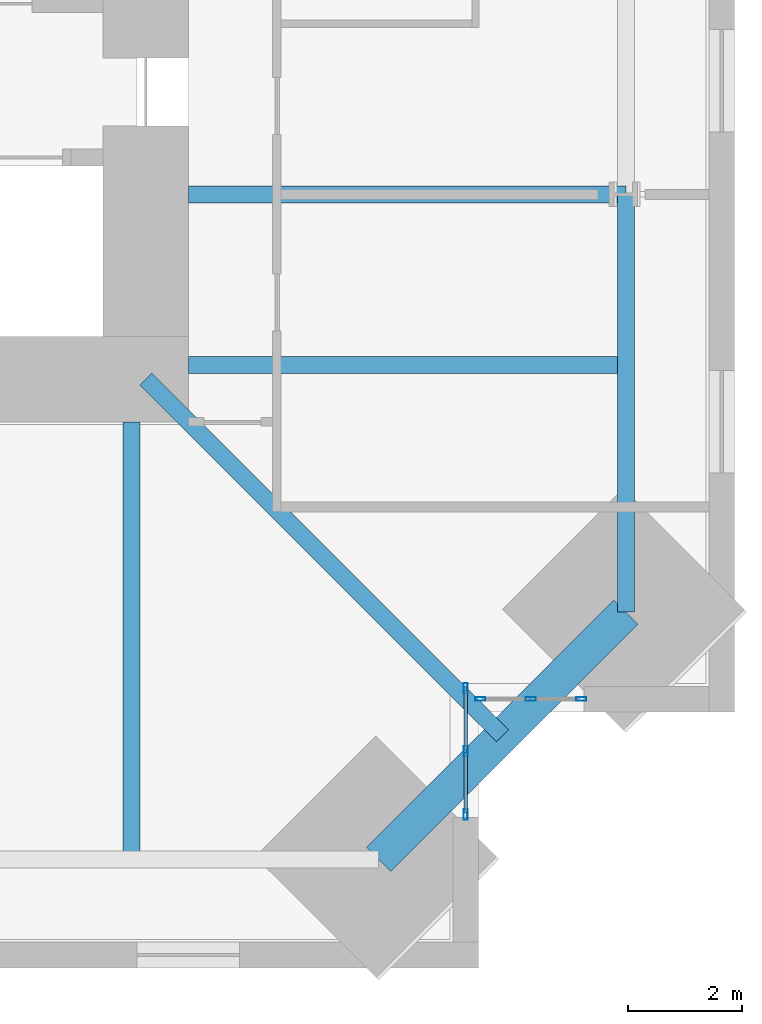
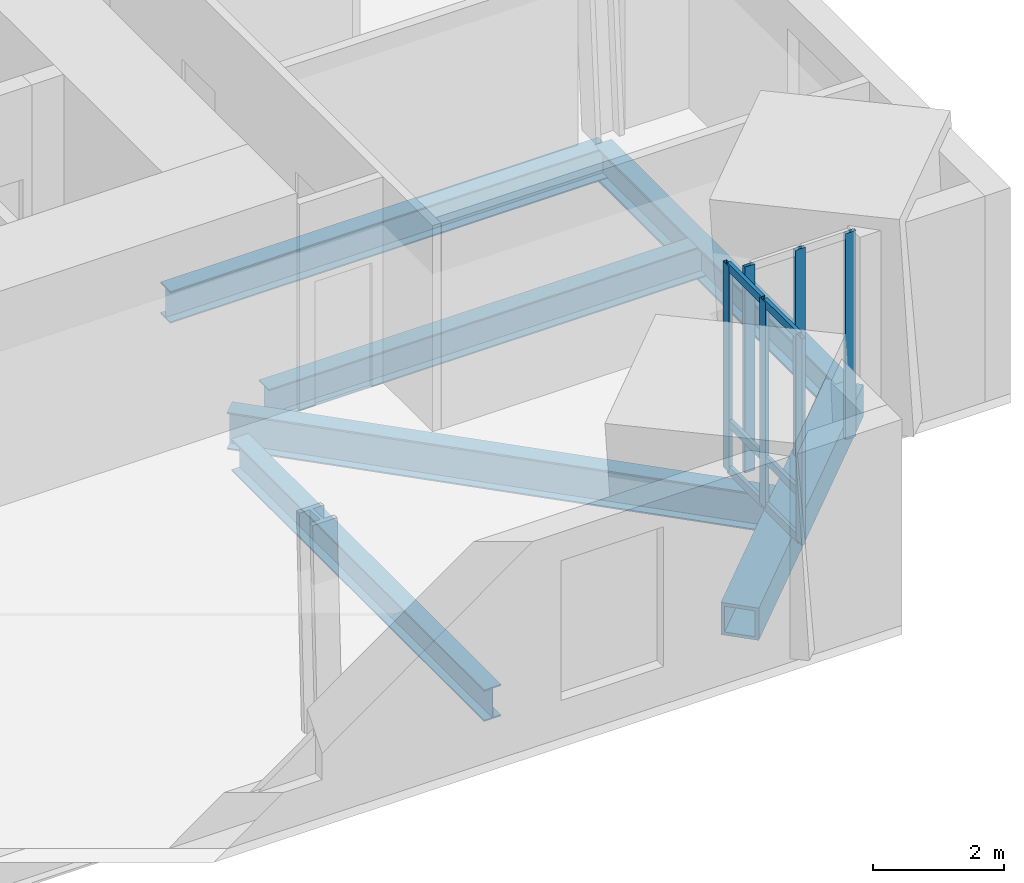
# One storey, part 4 of 16: 12 members, 6 beams, 2 elements without a shape of their own.
"""IFC4 building model written with IfcOpenShell, lengths in metres."""

from ifc_helpers import new_model, si_unit, direction, frame, origin, origin_2d, place, context, subcontext, project, spatial, hollow_rectangle, i_section, extrude, material, material_profile, profile_set, type_object, element, aggregate, save


model = new_model("IFC4")

# Units and contexts
model_context = context("Model", 3, precision=1e-05, world=origin(), true_north=direction((0.0, 1.0)))
body_context = subcontext(model_context, "Body", "Model", "MODEL_VIEW")
ifc_project = project(units=[si_unit("LENGTHUNIT", "METRE"), si_unit("AREAUNIT", "SQUARE_METRE"), si_unit("VOLUMEUNIT", "CUBIC_METRE"), si_unit("PLANEANGLEUNIT", "RADIAN"), si_unit("MASSUNIT", "GRAM", prefix="KILO")], contexts=[model_context])

# Site, building, storey
site_placement = place(None, origin())
site = spatial("IfcSite", under=ifc_project, at=site_placement, CompositionType="ELEMENT")
building_placement = place(site_placement, origin())
building = spatial("IfcBuilding", under=site, at=building_placement, Name="Peilmerk Tower", CompositionType="ELEMENT")
storey_placement = place(building_placement, frame((0.0, 0.0, 277.800048828125)))
storey = spatial("IfcBuildingStorey", under=building, at=storey_placement, Name="L62", CompositionType="ELEMENT", Elevation=277.800048828125)

# Beams
ifc_material_1 = material(Name="Steel S355", Category="steel")
ifc_material_profile_1 = material_profile(ifc_material_1, i_section(OverallWidth=0.300048828125, OverallDepth=0.68994140625, WebThickness=0.014404296875, FlangeThickness=0.027099609375, at=origin_2d()), Name="HEA 700")
ifc_profile_set_1 = profile_set([ifc_material_profile_1], Name="Steel S355")
beam_type_1 = type_object("IfcBeamType", Name="B16 HEA 700 floor beam", PredefinedType="BEAM", material=ifc_profile_set_1)
beam_1_placement = place(storey_placement, frame((11.25, -11.25, -0.51513671875), z_axis=(0.707106781187, -0.707106781187, 0.0), x_axis=(0.707106781187, 0.707106781187, 0.0)))
element("IfcBeam", 1, at=beam_1_placement, inside=storey, type_object=beam_type_1, Name="Corner girder L62", PredefinedType="BEAM", context=body_context, shape_type="SweptSolid", body=[
    extrude(i_section(OverallWidth=0.300048828125, OverallDepth=0.68994140625, WebThickness=0.014404296875, FlangeThickness=0.027099609375, at=origin_2d()), origin(), (0.0, 0.0, 1.0), 8.867431640625),
])
ifc_material_2 = material(Name="Steel S460", Category="steel")
ifc_material_profile_2 = material_profile(ifc_material_2, hollow_rectangle(XDim=0.60009765625, YDim=0.60009765625, WallThickness=0.06005859375, at=origin_2d()), Name="BOX 600x600x60")
ifc_profile_set_2 = profile_set([ifc_material_profile_2], Name="Steel S460")
beam_type_2 = type_object("IfcBeamType", Name="B20 BOX 600x600x60 notch beam", PredefinedType="SPANDREL", material=ifc_profile_set_2)
beam_2_placement = place(storey_placement, frame((19.695068359375, -15.34521484375, -0.469970703125), z_axis=(-0.707106781187, -0.707106781187, 0.0), x_axis=(0.707106781187, -0.707106781187, 0.0)))
element("IfcBeam", 2, at=beam_2_placement, inside=storey, type_object=beam_type_2, Name="Notch beam L62", PredefinedType="SPANDREL", context=body_context, shape_type="SweptSolid", body=[
    extrude(hollow_rectangle(XDim=0.60009765625, YDim=0.60009765625, WallThickness=0.06005859375, at=origin_2d()), origin(), (0.0, 0.0, 1.0), 6.151611328125),
])
ifc_material_profile_3 = material_profile(ifc_material_1, i_section(OverallWidth=0.300048828125, OverallDepth=0.590087890625, WebThickness=0.012939453125, FlangeThickness=0.02490234375, at=origin_2d()), Name="HEA 600")
ifc_profile_set_3 = profile_set([ifc_material_profile_3], Name="Steel S355")
beam_type_3 = type_object("IfcBeamType", Name="B27 HEA 600 floor beam", PredefinedType="BEAM", material=ifc_profile_set_3)
for number, where, z_axis, x_axis, name in (
    (3, (12.0, -11.0, -0.465087890625), (1.0, 0.0, 0.0), (0.0, 1.0, 0.0), "Floor beam L62"),
    (4, (12.0, -8.0, -0.465087890625), (1.0, 0.0, 0.0), (0.0, 1.0, 0.0), "Floor beam L62"),
    (5, (11.0, -12.0, -0.465087890625), (0.0, -1.0, 0.0), (1.0, 0.0, 0.0), "Floor beam L62"),
):
    element("IfcBeam", number, at=place(storey_placement, frame(where, z_axis=z_axis, x_axis=x_axis)), inside=storey, type_object=beam_type_3, Name=name, PredefinedType="BEAM", context=body_context, shape_type="SweptSolid", body=[
        extrude(i_section(OverallWidth=0.300048828125, OverallDepth=0.590087890625, WebThickness=0.012939453125, FlangeThickness=0.02490234375, at=origin_2d()), origin(), (0.0, 0.0, 1.0), 7.695068359375),
    ])
ifc_material_profile_4 = material_profile(ifc_material_1, i_section(OverallWidth=0.304931640625, OverallDepth=0.6201171875, WebThickness=0.02099609375, FlangeThickness=0.0400390625, at=origin_2d()), Name="HEM 600")
ifc_profile_set_4 = profile_set([ifc_material_profile_4], Name="Steel S355")
beam_type_4 = type_object("IfcBeamType", Name="B31 HEM 600 edge beam", PredefinedType="SPANDREL", material=ifc_profile_set_4)
beam_3_placement = place(storey_placement, frame((19.695068359375, -15.34521484375, -0.47998046875), z_axis=(0.0, 1.0, 0.0), x_axis=(-1.0, 0.0, 0.0)))
element("IfcBeam", 6, at=beam_3_placement, inside=storey, type_object=beam_type_4, Name="Edge beam L62", PredefinedType="SPANDREL", context=body_context, shape_type="SweptSolid", body=[
    extrude(i_section(OverallWidth=0.304931640625, OverallDepth=0.6201171875, WebThickness=0.02099609375, FlangeThickness=0.0400390625, at=origin_2d()), origin(), (0.0, 0.0, 1.0), 7.34521484375),
])

# Curtain wall, members
ifc_material_3 = material(Name="Aluminium stick curtain wall", Category="aluminium")
curtain_wall_type = type_object("IfcCurtainWallType", Name="CW4 stick curtain wall, 2250 module", PredefinedType="NOTDEFINED", material=ifc_material_3)
curtain_wall_1_placement = place(storey_placement, origin())
curtain_wall_1 = element("IfcCurtainWall", 7, at=curtain_wall_1_placement, inside=storey, type_object=curtain_wall_type, Name="Curtain wall CW4 SEA L62", PredefinedType="NOTDEFINED")
ifc_material_4 = material(Name="Aluminium EN AW-6063 T6", Category="aluminium")
ifc_material_profile_5 = material_profile(ifc_material_4, hollow_rectangle(XDim=0.06494140625, YDim=0.179931640625, WallThickness=0.0029296875, at=origin_2d()), Name="AL 180x65x3")
ifc_profile_set_5 = profile_set([ifc_material_profile_5], Name="Aluminium EN AW-6063 T6")
member_type_1 = type_object("IfcMemberType", Name="CW4-M AL 180x65x3 mullion", PredefinedType="MULLION", material=ifc_profile_set_5)
member_1_placement = place(storey_placement, frame((16.875, -16.6826171875, 0.0), z_axis=(0.0, 0.0, 1.0), x_axis=(1.0, 0.0, 0.0)))
member_1 = element("IfcMember", 8, at=member_1_placement, type_object=member_type_1, Name="CW4 mullion 1", PredefinedType="MULLION", context=body_context, shape_type="SweptSolid", body=[
    extrude(hollow_rectangle(XDim=0.06494140625, YDim=0.179931640625, WallThickness=0.0029296875, at=origin_2d()), origin(), (0.0, 0.0, 1.0), 3.829833984375),
])
member_2_placement = place(storey_placement, frame((16.875, -17.79443359375, 0.0), z_axis=(0.0, 0.0, 1.0), x_axis=(1.0, 0.0, 0.0)))
member_2 = element("IfcMember", 9, at=member_2_placement, type_object=member_type_1, Name="CW4 mullion 2", PredefinedType="MULLION", context=body_context, shape_type="SweptSolid", body=[
    extrude(hollow_rectangle(XDim=0.06494140625, YDim=0.179931640625, WallThickness=0.0029296875, at=origin_2d()), origin(), (0.0, 0.0, 1.0), 3.829833984375),
])
member_3_placement = place(storey_placement, frame((16.875, -18.90625, 0.0), z_axis=(0.0, 0.0, 1.0), x_axis=(1.0, 0.0, 0.0)))
member_3 = element("IfcMember", 10, at=member_3_placement, type_object=member_type_1, Name="CW4 mullion 3", PredefinedType="MULLION", context=body_context, shape_type="SweptSolid", body=[
    extrude(hollow_rectangle(XDim=0.06494140625, YDim=0.179931640625, WallThickness=0.0029296875, at=origin_2d()), origin(), (0.0, 0.0, 1.0), 3.829833984375),
])

curtain_wall_2_placement = place(storey_placement, origin())
curtain_wall_2 = element("IfcCurtainWall", 11, at=curtain_wall_2_placement, inside=storey, type_object=curtain_wall_type, Name="Curtain wall CW4 SEB L62", PredefinedType="NOTDEFINED")
member_4_placement = place(storey_placement, frame((17.132568359375, -16.875, 0.0), z_axis=(0.0, 0.0, 1.0), x_axis=(0.0, 1.0, 0.0)))
member_4 = element("IfcMember", 12, at=member_4_placement, type_object=member_type_1, Name="CW4 mullion 1", PredefinedType="MULLION", context=body_context, shape_type="SweptSolid", body=[
    extrude(hollow_rectangle(XDim=0.06494140625, YDim=0.179931640625, WallThickness=0.0029296875, at=origin_2d()), origin(), (0.0, 0.0, 1.0), 3.829833984375),
])
member_5_placement = place(storey_placement, frame((18.019287109375, -16.875, 0.0), z_axis=(0.0, 0.0, 1.0), x_axis=(0.0, 1.0, 0.0)))
member_5 = element("IfcMember", 13, at=member_5_placement, type_object=member_type_1, Name="CW4 mullion 2", PredefinedType="MULLION", context=body_context, shape_type="SweptSolid", body=[
    extrude(hollow_rectangle(XDim=0.06494140625, YDim=0.179931640625, WallThickness=0.0029296875, at=origin_2d()), origin(), (0.0, 0.0, 1.0), 3.829833984375),
])
member_6_placement = place(storey_placement, frame((18.90625, -16.875, 0.0), z_axis=(0.0, 0.0, 1.0), x_axis=(0.0, 1.0, 0.0)))
member_6 = element("IfcMember", 14, at=member_6_placement, type_object=member_type_1, Name="CW4 mullion 3", PredefinedType="MULLION", context=body_context, shape_type="SweptSolid", body=[
    extrude(hollow_rectangle(XDim=0.06494140625, YDim=0.179931640625, WallThickness=0.0029296875, at=origin_2d()), origin(), (0.0, 0.0, 1.0), 3.829833984375),
])
aggregate(curtain_wall_2, [member_4, member_5, member_6])

# Member
ifc_material_profile_6 = material_profile(ifc_material_4, hollow_rectangle(XDim=0.06494140625, YDim=0.14990234375, WallThickness=0.0029296875, at=origin_2d()), Name="AL 150x65x3")
ifc_profile_set_6 = profile_set([ifc_material_profile_6], Name="Aluminium EN AW-6063 T6")
member_type_2 = type_object("IfcMemberType", Name="CW4-T AL 150x65x3 transom", PredefinedType="USERDEFINED", material=ifc_profile_set_6)
member_7_placement = place(storey_placement, frame((16.875, -16.715087890625, 0.032470703125), z_axis=(0.0, -1.0, 0.0), x_axis=(1.0, 0.0, 0.0)))
member_7 = element("IfcMember", 15, at=member_7_placement, type_object=member_type_2, Name="CW4 transom 1.1", ObjectType="TRANSOM", PredefinedType="USERDEFINED", context=body_context, shape_type="SweptSolid", body=[
    extrude(hollow_rectangle(XDim=0.06494140625, YDim=0.14990234375, WallThickness=0.0029296875, at=origin_2d()), origin(), (0.0, 0.0, 1.0), 1.046630859375),
])

member_8_placement = place(storey_placement, frame((16.875, -16.715087890625, 0.89990234375), z_axis=(0.0, -1.0, 0.0), x_axis=(1.0, 0.0, 0.0)))
member_8 = element("IfcMember", 16, at=member_8_placement, type_object=member_type_2, Name="CW4 transom 1.2", ObjectType="TRANSOM", PredefinedType="USERDEFINED", context=body_context, shape_type="SweptSolid", body=[
    extrude(hollow_rectangle(XDim=0.06494140625, YDim=0.14990234375, WallThickness=0.0029296875, at=origin_2d()), origin(), (0.0, 0.0, 1.0), 1.046630859375),
])

member_9_placement = place(storey_placement, frame((16.875, -16.715087890625, 3.79736328125), z_axis=(0.0, -1.0, 0.0), x_axis=(1.0, 0.0, 0.0)))
member_9 = element("IfcMember", 17, at=member_9_placement, type_object=member_type_2, Name="CW4 transom 1.3", ObjectType="TRANSOM", PredefinedType="USERDEFINED", context=body_context, shape_type="SweptSolid", body=[
    extrude(hollow_rectangle(XDim=0.06494140625, YDim=0.14990234375, WallThickness=0.0029296875, at=origin_2d()), origin(), (0.0, 0.0, 1.0), 1.046630859375),
])

member_10_placement = place(storey_placement, frame((16.875, -17.826904296875, 0.032470703125), z_axis=(0.0, -1.0, 0.0), x_axis=(1.0, 0.0, 0.0)))
member_10 = element("IfcMember", 18, at=member_10_placement, type_object=member_type_2, Name="CW4 transom 2.1", ObjectType="TRANSOM", PredefinedType="USERDEFINED", context=body_context, shape_type="SweptSolid", body=[
    extrude(hollow_rectangle(XDim=0.06494140625, YDim=0.14990234375, WallThickness=0.0029296875, at=origin_2d()), origin(), (0.0, 0.0, 1.0), 1.046875),
])

member_11_placement = place(storey_placement, frame((16.875, -17.826904296875, 0.89990234375), z_axis=(0.0, -1.0, 0.0), x_axis=(1.0, 0.0, 0.0)))
member_11 = element("IfcMember", 19, at=member_11_placement, type_object=member_type_2, Name="CW4 transom 2.2", ObjectType="TRANSOM", PredefinedType="USERDEFINED", context=body_context, shape_type="SweptSolid", body=[
    extrude(hollow_rectangle(XDim=0.06494140625, YDim=0.14990234375, WallThickness=0.0029296875, at=origin_2d()), origin(), (0.0, 0.0, 1.0), 1.046875),
])

member_12_placement = place(storey_placement, frame((16.875, -17.826904296875, 3.79736328125), z_axis=(0.0, -1.0, 0.0), x_axis=(1.0, 0.0, 0.0)))
member_12 = element("IfcMember", 20, at=member_12_placement, type_object=member_type_2, Name="CW4 transom 2.3", ObjectType="TRANSOM", PredefinedType="USERDEFINED", context=body_context, shape_type="SweptSolid", body=[
    extrude(hollow_rectangle(XDim=0.06494140625, YDim=0.14990234375, WallThickness=0.0029296875, at=origin_2d()), origin(), (0.0, 0.0, 1.0), 1.046875),
])

aggregate(curtain_wall_1, [member_1, member_2, member_3, member_7, member_8, member_9, member_10, member_11, member_12])

save(model, "model.ifc")
